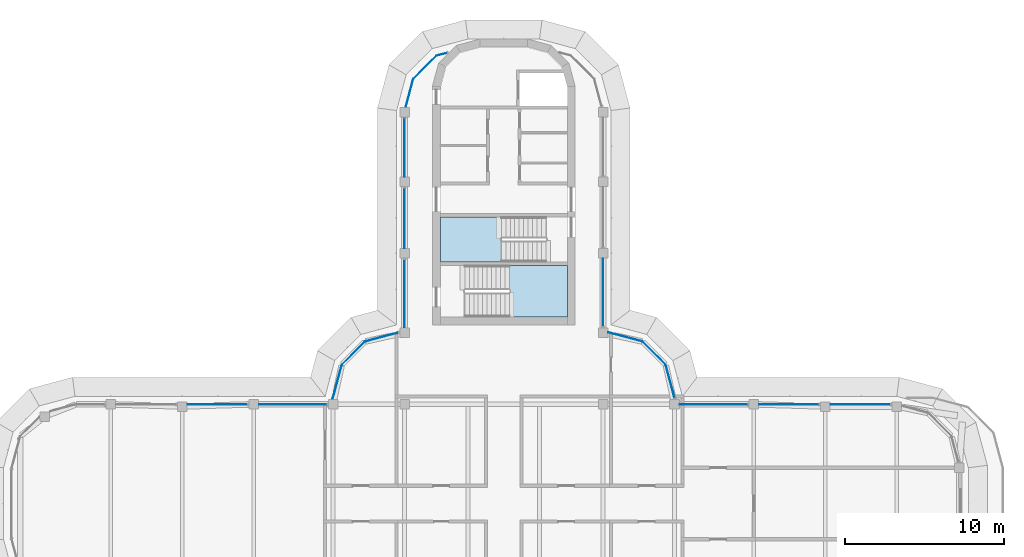
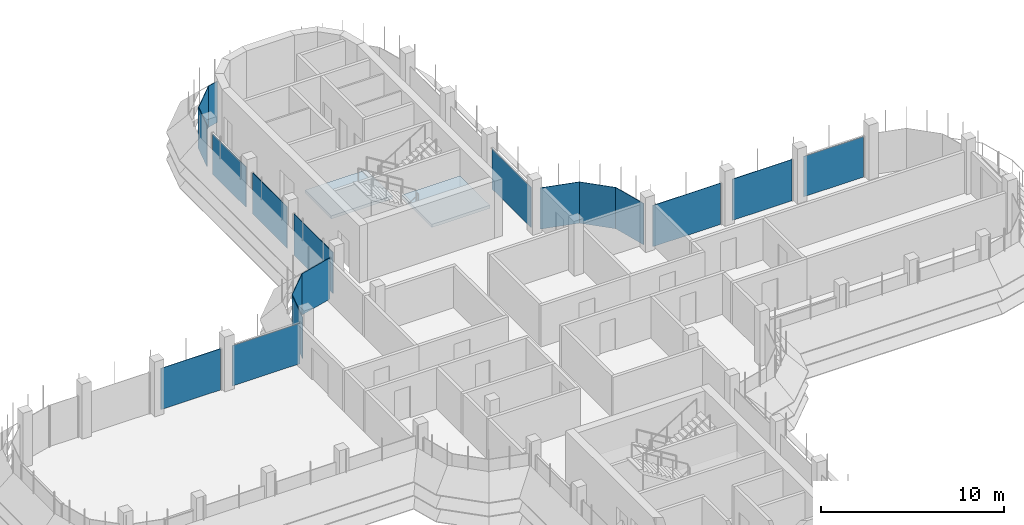
# One storey, part 12 of 20: 18 plates, 2 slabs, 15 elements without a shape of their own.
"""IFC4 building model written with IfcOpenShell, lengths in metres."""

from ifc_helpers import new_model, si_unit, direction, frame, origin, place, context, subcontext, project, spatial, polyline, outline, extrude, source, transform, mapped, material, layer, layer_set, type_object, element, aggregate, save


model = new_model("IFC4")

# Units and contexts
model_context = context("Model", 3, precision=1e-05, world=origin(), true_north=direction((0.0, 1.0)))
body_context = subcontext(model_context, "Body", "Model", "MODEL_VIEW")
ifc_project = project(units=[si_unit("LENGTHUNIT", "METRE"), si_unit("AREAUNIT", "SQUARE_METRE"), si_unit("VOLUMEUNIT", "CUBIC_METRE"), si_unit("PLANEANGLEUNIT", "RADIAN"), si_unit("MASSUNIT", "GRAM", prefix="KILO")], contexts=[model_context])

# Site, building, storey
site_placement = place(None, origin())
site = spatial("IfcSite", under=ifc_project, at=site_placement, CompositionType="ELEMENT")
building_placement = place(site_placement, origin())
building = spatial("IfcBuilding", under=site, at=building_placement, Name="Zarbagh Exchange Tower", CompositionType="ELEMENT")
storey_placement = place(building_placement, frame((0.0, 0.0, 249.800048828125)))
storey = spatial("IfcBuildingStorey", under=building, at=storey_placement, Name="L61", CompositionType="ELEMENT", Elevation=249.800048828125)

# Stair, slab
ifc_material_1 = material(Name="Concrete C40/50", Category="concrete")
stair_type = type_object("IfcStairType", Name="Exit stair two-flight half-turn", PredefinedType="HALF_TURN_STAIR", material=ifc_material_1)
stair_1_placement = place(storey_placement, origin())
stair_1 = element("IfcStair", 1, at=stair_1_placement, inside=storey, type_object=stair_type, Name="exit stair ST1", PredefinedType="HALF_TURN_STAIR")
ifc_layer_1 = layer(ifc_material_1, 0.199951171875)
ifc_layer_set_1 = layer_set([ifc_layer_1], Name="Stair landing 200 mm")
slab_type = type_object("IfcSlabType", Name="Stair landing 200 mm", PredefinedType="LANDING", material=ifc_layer_set_1)
slab_1_placement = place(storey_placement, frame((0.0, 0.0, 1.699951171875)))
slab_1 = element("IfcSlab", 2, at=slab_1_placement, type_object=slab_type, Name="ST1 landing 1", PredefinedType="LANDING", context=body_context, shape_type="SweptSolid", body=[
    extrude(outline(polyline([(-0.14990234375, 18.050048828125), (-4.0, 18.050048828125), (-4.0, 15.199951171875), (-0.14990234375, 15.199951171875), (-0.14990234375, 18.050048828125)])), origin(), (0.0, 0.0, 1.0), 0.199951171875),
])
aggregate(stair_1, [slab_1])

stair_2_placement = place(storey_placement, origin())
stair_2 = element("IfcStair", 3, at=stair_2_placement, inside=storey, type_object=stair_type, Name="exit stair ST2", PredefinedType="HALF_TURN_STAIR")
slab_2_placement = place(storey_placement, frame((0.0, 0.0, 1.699951171875)))
slab_2 = element("IfcSlab", 4, at=slab_2_placement, type_object=slab_type, Name="ST2 landing 1", PredefinedType="LANDING", context=body_context, shape_type="SweptSolid", body=[
    extrude(outline(polyline([(0.35009765625, 11.75), (4.0, 11.75), (4.0, 15.0), (0.35009765625, 15.0), (0.35009765625, 11.75)])), origin(), (0.0, 0.0, 1.0), 0.199951171875),
])
aggregate(stair_2, [slab_2])

# Curtain wall, plate
ifc_material_2 = material(Name="Anodised aluminium frame and glazing", Category="aluminium")
curtain_wall_type = type_object("IfcCurtainWallType", Name="CWB Ribbon glazing, upper zones", PredefinedType="NOTDEFINED", material=ifc_material_2)
curtain_wall_1_placement = place(storey_placement, origin())
curtain_wall_1 = element("IfcCurtainWall", 5, at=curtain_wall_1_placement, inside=storey, type_object=curtain_wall_type, Name="CWB18 curtain wall", PredefinedType="NOTDEFINED")
ifc_material_3 = material(Name="Low-e double glazed unit, 6+12+6 mm")
ifc_layer_2 = layer(ifc_material_3, 0.031982421875)
ifc_layer_set_2 = layer_set([ifc_layer_2], Name="PAB Glazing panel, Low-e double glazed unit, 6+12+6 mm")
plate_type = type_object("IfcPlateType", Name="PAB Glazing panel, Low-e double glazed unit, 6+12+6 mm", PredefinedType="CURTAIN_PANEL", material=ifc_layer_set_2)
shared_shape_1 = source(origin(), body_context, "Body", "SweptSolid", [
    extrude(outline(polyline([(0.0, -0.01611328125), (2.061279296875, -0.01611328125), (2.061279296875, 0.01611328125), (0.0, 0.01611328125), (0.0, -0.01611328125)])), origin(), (0.0, 0.0, 1.0), 2.75),
])
placement = place(storey_placement, origin())
plate_1 = element("IfcPlate", 6, at=placement, type_object=plate_type, Name="CWB18 glazing panel 1.1", PredefinedType="CURTAIN_PANEL", context=body_context, shape_type="MappedRepresentation", body=[
    mapped(shared_shape_1, transform((10.19873046875, 8.7412109375, 0.0), x_axis=(-0.707106781187, 0.707106781187, 0.0), y_axis=(-0.707106781187, -0.707106781187, 0.0), z_axis=(0.0, 0.0, 1.0))),
])
aggregate(curtain_wall_1, [plate_1])

curtain_wall_2_placement = place(storey_placement, origin())
curtain_wall_2 = element("IfcCurtainWall", 7, at=curtain_wall_2_placement, inside=storey, type_object=curtain_wall_type, Name="CWB71 curtain wall", PredefinedType="NOTDEFINED")
plate_2 = element("IfcPlate", 8, at=placement, type_object=plate_type, Name="CWB71 glazing panel 1.1", PredefinedType="CURTAIN_PANEL", context=body_context, shape_type="MappedRepresentation", body=[
    mapped(shared_shape_1, transform((-4.2412109375, 28.19873046875, 0.0), x_axis=(-0.707106781187, -0.707106781187, 0.0), y_axis=(0.707106781187, -0.707106781187, 0.0), z_axis=(0.0, 0.0, 1.0))),
])
aggregate(curtain_wall_2, [plate_2])

curtain_wall_3_placement = place(storey_placement, origin())
curtain_wall_3 = element("IfcCurtainWall", 9, at=curtain_wall_3_placement, inside=storey, type_object=curtain_wall_type, Name="CWB30 curtain wall", PredefinedType="NOTDEFINED")
plate_3 = element("IfcPlate", 10, at=placement, type_object=plate_type, Name="CWB30 glazing panel 1.1", PredefinedType="CURTAIN_PANEL", context=body_context, shape_type="MappedRepresentation", body=[
    mapped(shared_shape_1, transform((-8.7412109375, 10.19873046875, 0.0), x_axis=(-0.707106781187, -0.707106781187, 0.0), y_axis=(0.707106781187, -0.707106781187, 0.0), z_axis=(0.0, 0.0, 1.0))),
])
aggregate(curtain_wall_3, [plate_3])

curtain_wall_4_placement = place(storey_placement, origin())
curtain_wall_4 = element("IfcCurtainWall", 11, at=curtain_wall_4_placement, inside=storey, type_object=curtain_wall_type, Name="CWB70 curtain wall", PredefinedType="NOTDEFINED")
shared_shape_2 = source(origin(), body_context, "Body", "SweptSolid", [
    extrude(outline(polyline([(0.0, -0.01611328125), (0.697021484375, -0.01611328125), (0.697021484375, 0.01611328125), (0.0, 0.01611328125), (0.0, -0.01611328125)])), origin(), (0.0, 0.0, 1.0), 2.75),
])
plate_4 = element("IfcPlate", 12, at=placement, type_object=plate_type, Name="CWB70 glazing panel 1.1", PredefinedType="CURTAIN_PANEL", context=body_context, shape_type="MappedRepresentation", body=[
    mapped(shared_shape_2, transform((-3.56787109375, 28.379150390625, 0.0), x_axis=(-0.965924289636, -0.258824779902, 0.0), y_axis=(0.258824779902, -0.965924289636, 0.0), z_axis=(0.0, 0.0, 1.0))),
])
aggregate(curtain_wall_4, [plate_4])

curtain_wall_5_placement = place(storey_placement, origin())
curtain_wall_5 = element("IfcCurtainWall", 13, at=curtain_wall_5_placement, inside=storey, type_object=curtain_wall_type, Name="CWB72 curtain wall", PredefinedType="NOTDEFINED")
shared_shape_3 = source(origin(), body_context, "Body", "SweptSolid", [
    extrude(outline(polyline([(0.0, -0.01611328125), (1.81298828125, -0.01611328125), (1.81298828125, 0.01611328125), (0.0, 0.01611328125), (0.0, -0.01611328125)])), origin(), (0.0, 0.0, 1.0), 2.75),
])
plate_5 = element("IfcPlate", 14, at=placement, type_object=plate_type, Name="CWB72 glazing panel 1.1", PredefinedType="CURTAIN_PANEL", context=body_context, shape_type="MappedRepresentation", body=[
    mapped(shared_shape_3, transform((-5.69873046875, 26.7412109375, 0.0), x_axis=(-0.258824779902, -0.965924289636, 0.0), y_axis=(0.965924289636, -0.258824779902, 0.0), z_axis=(0.0, 0.0, 1.0))),
])
aggregate(curtain_wall_5, [plate_5])

curtain_wall_6_placement = place(storey_placement, origin())
curtain_wall_6 = element("IfcCurtainWall", 15, at=curtain_wall_6_placement, inside=storey, type_object=curtain_wall_type, Name="CWB82 curtain wall", PredefinedType="NOTDEFINED")
shared_shape_4 = source(origin(), body_context, "Body", "SweptSolid", [
    extrude(outline(polyline([(0.0, -0.01611328125), (3.760009765625, -0.01611328125), (3.760009765625, 0.01611328125), (0.0, 0.01611328125), (0.0, -0.01611328125)])), origin(), (0.0, 0.0, 1.0), 2.75),
])
plate_6 = element("IfcPlate", 16, at=placement, type_object=plate_type, Name="CWB82 glazing panel 2.1", PredefinedType="CURTAIN_PANEL", context=body_context, shape_type="MappedRepresentation", body=[
    mapped(shared_shape_4, transform((19.849853515625, 6.25, 0.0), x_axis=(-1.0, 0.0, 0.0), y_axis=(0.0, -1.0, 0.0), z_axis=(0.0, 0.0, 1.0))),
])

curtain_wall_7_placement = place(storey_placement, origin())
curtain_wall_7 = element("IfcCurtainWall", 17, at=curtain_wall_7_placement, inside=storey, type_object=curtain_wall_type, Name="CWB73 curtain wall", PredefinedType="NOTDEFINED")
plate_7 = element("IfcPlate", 18, at=placement, type_object=plate_type, Name="CWB73 glazing panel 2.1", PredefinedType="CURTAIN_PANEL", context=body_context, shape_type="MappedRepresentation", body=[
    mapped(shared_shape_4, transform((-6.25, 19.849853515625, 0.0), x_axis=(0.0, -1.0, 0.0), y_axis=(1.0, 0.0, 0.0), z_axis=(0.0, 0.0, 1.0))),
])

curtain_wall_8_placement = place(storey_placement, origin())
curtain_wall_8 = element("IfcCurtainWall", 19, at=curtain_wall_8_placement, inside=storey, type_object=curtain_wall_type, Name="CWB58 curtain wall", PredefinedType="NOTDEFINED")
plate_8 = element("IfcPlate", 20, at=placement, type_object=plate_type, Name="CWB58 glazing panel 2.1", PredefinedType="CURTAIN_PANEL", context=body_context, shape_type="MappedRepresentation", body=[
    mapped(shared_shape_4, transform((-16.150146484375, 6.25, 0.0), x_axis=(-1.0, 0.0, 0.0), y_axis=(0.0, -1.0, 0.0), z_axis=(0.0, 0.0, 1.0))),
])

# Plate
shared_shape_5 = source(origin(), body_context, "Body", "SweptSolid", [
    extrude(outline(polyline([(0.0, -0.01611328125), (4.260009765625, -0.01611328125), (4.260009765625, 0.01611328125), (0.0, 0.01611328125), (0.0, -0.01611328125)])), origin(), (0.0, 0.0, 1.0), 2.75),
])
plate_9 = element("IfcPlate", 21, at=placement, type_object=plate_type, Name="CWB82 glazing panel 3.1", PredefinedType="CURTAIN_PANEL", context=body_context, shape_type="MappedRepresentation", body=[
    mapped(shared_shape_5, transform((15.349853515625, 6.25, 0.0), x_axis=(-1.0, 0.0, 0.0), y_axis=(0.0, -1.0, 0.0), z_axis=(0.0, 0.0, 1.0))),
])

plate_10 = element("IfcPlate", 22, at=placement, type_object=plate_type, Name="CWB73 glazing panel 3.1", PredefinedType="CURTAIN_PANEL", context=body_context, shape_type="MappedRepresentation", body=[
    mapped(shared_shape_5, transform((-6.25, 15.349853515625, 0.0), x_axis=(0.0, -1.0, 0.0), y_axis=(1.0, 0.0, 0.0), z_axis=(0.0, 0.0, 1.0))),
])

# Curtain wall, plate
curtain_wall_9_placement = place(storey_placement, origin())
curtain_wall_9 = element("IfcCurtainWall", 23, at=curtain_wall_9_placement, inside=storey, type_object=curtain_wall_type, Name="CWB17 curtain wall", PredefinedType="NOTDEFINED")
shared_shape_6 = source(origin(), body_context, "Body", "SweptSolid", [
    extrude(outline(polyline([(0.0, -0.01611328125), (2.1669921875, -0.01611328125), (2.1669921875, 0.01611328125), (0.0, 0.01611328125), (0.0, -0.01611328125)])), origin(), (0.0, 0.0, 1.0), 2.75),
])
plate_11 = element("IfcPlate", 24, at=placement, type_object=plate_type, Name="CWB17 glazing panel 1.1", PredefinedType="CURTAIN_PANEL", context=body_context, shape_type="MappedRepresentation", body=[
    mapped(shared_shape_6, transform((10.759765625, 6.64794921875, 0.0), x_axis=(-0.258824779902, 0.965924289636, 0.0), y_axis=(-0.965924289636, -0.258824779902, 0.0), z_axis=(0.0, 0.0, 1.0))),
])
aggregate(curtain_wall_9, [plate_11])

curtain_wall_10_placement = place(storey_placement, origin())
curtain_wall_10 = element("IfcCurtainWall", 25, at=curtain_wall_10_placement, inside=storey, type_object=curtain_wall_type, Name="CWB29 curtain wall", PredefinedType="NOTDEFINED")
plate_12 = element("IfcPlate", 26, at=placement, type_object=plate_type, Name="CWB29 glazing panel 1.1", PredefinedType="CURTAIN_PANEL", context=body_context, shape_type="MappedRepresentation", body=[
    mapped(shared_shape_6, transform((-6.64794921875, 10.759765625, 0.0), x_axis=(-0.965924289636, -0.258824779902, 0.0), y_axis=(0.258824779902, -0.965924289636, 0.0), z_axis=(0.0, 0.0, 1.0))),
])
aggregate(curtain_wall_10, [plate_12])

curtain_wall_11_placement = place(storey_placement, origin())
curtain_wall_11 = element("IfcCurtainWall", 27, at=curtain_wall_11_placement, inside=storey, type_object=curtain_wall_type, Name="CWB19 curtain wall", PredefinedType="NOTDEFINED")
shared_shape_7 = source(origin(), body_context, "Body", "SweptSolid", [
    extrude(outline(polyline([(0.0, -0.01611328125), (2.22705078125, -0.01611328125), (2.22705078125, 0.01611328125), (0.0, 0.01611328125), (0.0, -0.01611328125)])), origin(), (0.0, 0.0, 1.0), 2.75),
])
plate_13 = element("IfcPlate", 28, at=placement, type_object=plate_type, Name="CWB19 glazing panel 1.1", PredefinedType="CURTAIN_PANEL", context=body_context, shape_type="MappedRepresentation", body=[
    mapped(shared_shape_7, transform((8.7412109375, 10.19873046875, 0.0), x_axis=(-0.965924289636, 0.258824779902, 0.0), y_axis=(-0.258824779902, -0.965924289636, 0.0), z_axis=(0.0, 0.0, 1.0))),
])
aggregate(curtain_wall_11, [plate_13])

curtain_wall_12_placement = place(storey_placement, origin())
curtain_wall_12 = element("IfcCurtainWall", 29, at=curtain_wall_12_placement, inside=storey, type_object=curtain_wall_type, Name="CWB31 curtain wall", PredefinedType="NOTDEFINED")
plate_14 = element("IfcPlate", 30, at=placement, type_object=plate_type, Name="CWB31 glazing panel 1.1", PredefinedType="CURTAIN_PANEL", context=body_context, shape_type="MappedRepresentation", body=[
    mapped(shared_shape_7, transform((-10.19873046875, 8.7412109375, 0.0), x_axis=(-0.258824779902, -0.965924289636, 0.0), y_axis=(0.965924289636, -0.258824779902, 0.0), z_axis=(0.0, 0.0, 1.0))),
])
aggregate(curtain_wall_12, [plate_14])

curtain_wall_13_placement = place(storey_placement, origin())
curtain_wall_13 = element("IfcCurtainWall", 31, at=curtain_wall_13_placement, inside=storey, type_object=curtain_wall_type, Name="CWB67 curtain wall", PredefinedType="NOTDEFINED")
shared_shape_8 = source(origin(), body_context, "Body", "SweptSolid", [
    extrude(outline(polyline([(0.0, -0.01611328125), (4.260009765625, -0.01611328125), (4.260009765625, 0.01611328125), (0.0, 0.01611328125), (0.0, -0.01611328125)])), origin(), (0.0, 0.0, 1.0), 2.68994140625),
])
plate_15 = element("IfcPlate", 32, at=placement, type_object=plate_type, Name="CWB67 glazing panel 1.1", PredefinedType="CURTAIN_PANEL", context=body_context, shape_type="MappedRepresentation", body=[
    mapped(shared_shape_8, transform((6.25, 11.150146484375, 0.0), x_axis=(0.0, 1.0, 0.0), y_axis=(-1.0, 0.0, 0.0), z_axis=(0.0, 0.0, 1.0))),
])
aggregate(curtain_wall_13, [plate_15])

# Plate
plate_16 = element("IfcPlate", 33, at=placement, type_object=plate_type, Name="CWB58 glazing panel 1.1", PredefinedType="CURTAIN_PANEL", context=body_context, shape_type="MappedRepresentation", body=[
    mapped(shared_shape_8, transform((-11.150146484375, 6.25, 0.0), x_axis=(-1.0, 0.0, 0.0), y_axis=(0.0, -1.0, 0.0), z_axis=(0.0, 0.0, 1.0))),
])

aggregate(curtain_wall_8, [plate_16, plate_8])

shared_shape_9 = source(origin(), body_context, "Body", "SweptSolid", [
    extrude(outline(polyline([(0.0, -0.01611328125), (3.760009765625, -0.01611328125), (3.760009765625, 0.01611328125), (0.0, 0.01611328125), (0.0, -0.01611328125)])), origin(), (0.0, 0.0, 1.0), 2.68994140625),
])
plate_17 = element("IfcPlate", 34, at=placement, type_object=plate_type, Name="CWB82 glazing panel 1.1", PredefinedType="CURTAIN_PANEL", context=body_context, shape_type="MappedRepresentation", body=[
    mapped(shared_shape_9, transform((24.349853515625, 6.25, 0.0), x_axis=(-1.0, 0.0, 0.0), y_axis=(0.0, -1.0, 0.0), z_axis=(0.0, 0.0, 1.0))),
])

aggregate(curtain_wall_6, [plate_17, plate_6, plate_9])

shared_shape_10 = source(origin(), body_context, "Body", "SweptSolid", [
    extrude(outline(polyline([(0.0, -0.01611328125), (3.659912109375, -0.01611328125), (3.659912109375, 0.01611328125), (0.0, 0.01611328125), (0.0, -0.01611328125)])), origin(), (0.0, 0.0, 1.0), 2.68994140625),
])
plate_18 = element("IfcPlate", 35, at=placement, type_object=plate_type, Name="CWB73 glazing panel 1.1", PredefinedType="CURTAIN_PANEL", context=body_context, shape_type="MappedRepresentation", body=[
    mapped(shared_shape_10, transform((-6.25, 24.25, 0.0), x_axis=(0.0, -1.0, 0.0), y_axis=(1.0, 0.0, 0.0), z_axis=(0.0, 0.0, 1.0))),
])

aggregate(curtain_wall_7, [plate_18, plate_7, plate_10])

save(model, "model.ifc")
